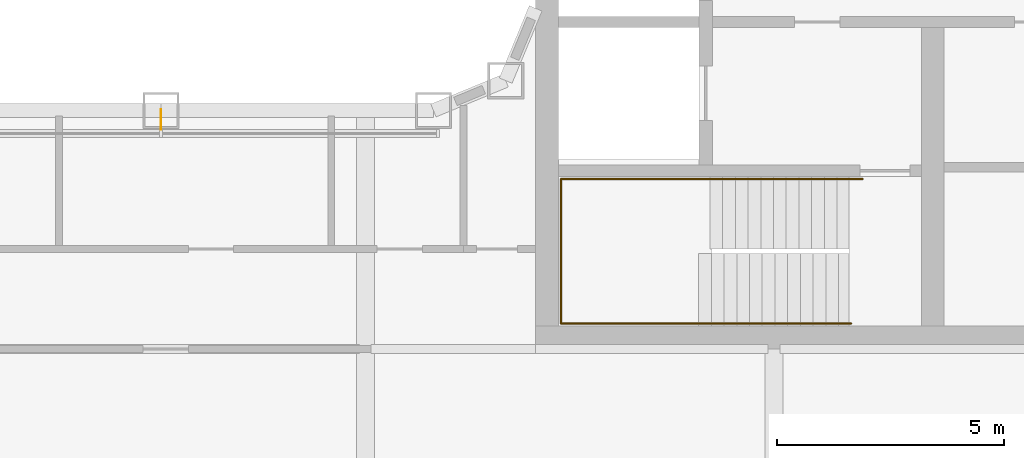
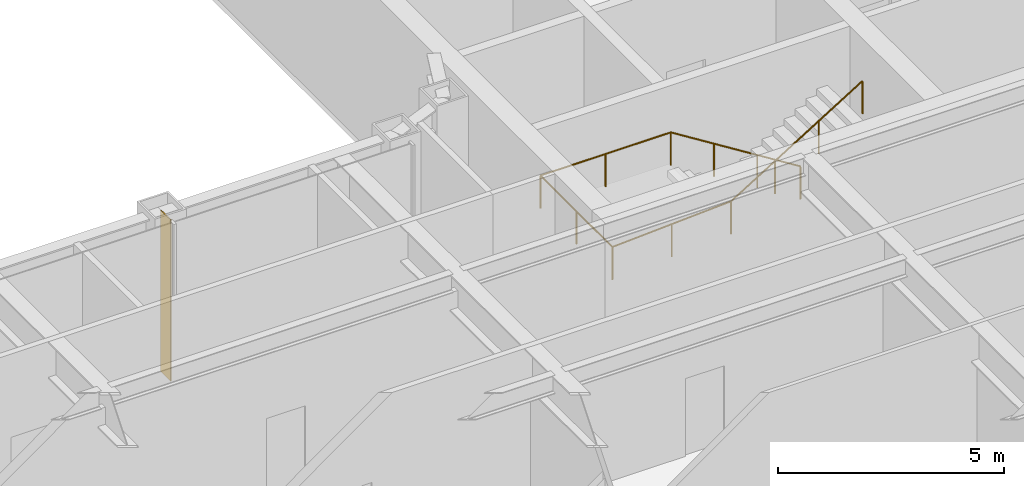
# One storey, part 26 of 30: 1 railing, 1 shading device.
"""IFC4 building model written with IfcOpenShell, lengths in metres."""

from ifc_helpers import new_model, si_unit, direction, frame, origin, origin_2d, place, context, subcontext, project, spatial, rectangle, circle, extrude, material, layer, layer_set, type_object, element, save


model = new_model("IFC4")

# Units and contexts
model_context = context("Model", 3, precision=1e-05, world=origin(), true_north=direction((0.0, 1.0)))
body_context = subcontext(model_context, "Body", "Model", "MODEL_VIEW")
ifc_project = project(units=[si_unit("LENGTHUNIT", "METRE"), si_unit("AREAUNIT", "SQUARE_METRE"), si_unit("VOLUMEUNIT", "CUBIC_METRE"), si_unit("PLANEANGLEUNIT", "RADIAN"), si_unit("MASSUNIT", "GRAM", prefix="KILO")], contexts=[model_context])

# Site, building, storey
site_placement = place(None, origin())
site = spatial("IfcSite", under=ifc_project, at=site_placement, CompositionType="ELEMENT")
building_placement = place(site_placement, origin())
building = spatial("IfcBuilding", under=site, at=building_placement, Name="Siwar Civic Tower", CompositionType="ELEMENT")
storey_placement = place(building_placement, frame((0.0, 0.0, 44.699951171875)))
storey = spatial("IfcBuildingStorey", under=building, at=storey_placement, Name="L09", CompositionType="ELEMENT", Elevation=44.699951171875)

# Railing
ifc_material_1 = material(Name="Stainless steel", Category="steel")
railing_type = type_object("IfcRailingType", Name="CORE-STAIR-HANDRAIL", PredefinedType="HANDRAIL", material=ifc_material_1)
railing_placement = place(storey_placement, frame((15.449951171875, -9.758056640625, 0.173095703125)))
element("IfcRailing", 1, at=railing_placement, inside=storey, type_object=railing_type, Name="Stair handrail ST4", PredefinedType="HANDRAIL", context=body_context, shape_type="SweptSolid", body=[
    extrude(circle(Radius=0.02001953125, at=origin_2d()), frame((0.0, 0.0, 0.8798828125), z_axis=(-0.847063342986, 0.0, 0.531491950051), x_axis=(0.0, -1.0, 0.0)), (0.0, 0.0, 1.0), 3.90771484375),
    extrude(circle(Radius=0.02001953125, at=origin_2d()), frame((-3.31005859375, 0.0, 2.956787109375), z_axis=(-1.0, 0.0, 0.0), x_axis=(0.0, -1.0, 0.0)), (0.0, 0.0, 1.0), 3.331787109375),
    extrude(circle(Radius=0.02001953125, at=origin_2d()), frame((-6.641845703125, 0.0, 2.956787109375), z_axis=(0.0, -1.0, 0.0), x_axis=(1.0, 0.0, 0.0)), (0.0, 0.0, 1.0), 3.183837890625),
    extrude(circle(Radius=0.02001953125, at=origin_2d()), frame((-6.641845703125, -3.183837890625, 2.956787109375), z_axis=(0.99837434197, 0.0, 0.056997134106), x_axis=(0.0, 1.0, 0.0)), (0.0, 0.0, 1.0), 3.036865234375),
    extrude(circle(Radius=0.02001953125, at=origin_2d()), frame((-3.60986328125, -3.183837890625, 3.1298828125), z_axis=(0.850606129759, 0.0, 0.525803396734), x_axis=(0.0, 1.0, 0.0)), (0.0, 0.0, 1.0), 3.949951171875),
    extrude(circle(Radius=0.02001953125, at=origin_2d()), origin(), (0.0, 0.0, 1.0), 0.85986328125),
    extrude(circle(Radius=0.02001953125, at=origin_2d()), frame((-1.103271484375, 0.0, 0.6923828125)), (0.0, 0.0, 1.0), 0.85986328125),
    extrude(circle(Radius=0.02001953125, at=origin_2d()), frame((-2.206787109375, 0.0, 1.384521484375)), (0.0, 0.0, 1.0), 0.85986328125),
    extrude(circle(Radius=0.02001953125, at=origin_2d()), frame((-3.31005859375, 0.0, 2.076904296875)), (0.0, 0.0, 1.0), 0.85986328125),
    extrude(circle(Radius=0.02001953125, at=origin_2d()), frame((-4.97607421875, 0.0, 2.076904296875)), (0.0, 0.0, 1.0), 0.85986328125),
    extrude(circle(Radius=0.02001953125, at=origin_2d()), frame((-6.641845703125, 0.0, 2.076904296875)), (0.0, 0.0, 1.0), 0.85986328125),
    extrude(circle(Radius=0.02001953125, at=origin_2d()), frame((-6.641845703125, -1.591796875, 2.076904296875)), (0.0, 0.0, 1.0), 0.85986328125),
    extrude(circle(Radius=0.02001953125, at=origin_2d()), frame((-6.641845703125, -3.183837890625, 2.076904296875)), (0.0, 0.0, 1.0), 0.85986328125),
    extrude(circle(Radius=0.02001953125, at=origin_2d()), frame((-5.1259765625, -3.183837890625, 2.16357421875)), (0.0, 0.0, 1.0), 0.85986328125),
    extrude(circle(Radius=0.02001953125, at=origin_2d()), frame((-3.60986328125, -3.183837890625, 2.25)), (0.0, 0.0, 1.0), 0.85986328125),
    extrude(circle(Radius=0.02001953125, at=origin_2d()), frame((-2.489990234375, -3.183837890625, 2.9423828125)), (0.0, 0.0, 1.0), 0.85986328125),
    extrude(circle(Radius=0.02001953125, at=origin_2d()), frame((-1.369873046875, -3.183837890625, 3.634521484375)), (0.0, 0.0, 1.0), 0.85986328125),
    extrude(circle(Radius=0.02001953125, at=origin_2d()), frame((-0.25, -3.183837890625, 4.326904296875)), (0.0, 0.0, 1.0), 0.85986328125),
])

# Shading device
ifc_material_2 = material(Name="Aluminium 6063-T6", Category="aluminium")
ifc_layer = layer(ifc_material_2, 0.02001953125)
ifc_layer_set = layer_set([ifc_layer], Name="Aluminium 6063-T6")
shading_device_type = type_object("IfcShadingDeviceType", Name="ENV-FIN", PredefinedType="JALOUSIE", material=ifc_layer_set)
shading_device_placement = place(storey_placement, frame((0.0, -8.445068359375, 0.0), z_axis=(0.0, 0.0, 1.0), x_axis=(1.0, 0.0, 0.0)))
element("IfcShadingDevice", 2, at=shading_device_placement, inside=storey, type_object=shading_device_type, Name="SUNSHADE fin WS 1", PredefinedType="JALOUSIE", context=body_context, shape_type="SweptSolid", body=[
    extrude(rectangle(XDim=0.02001953125, YDim=0.449951171875, at=origin_2d()), origin(), (0.0, 0.0, 1.0), 4.35009765625),
])

save(model, "model.ifc")
